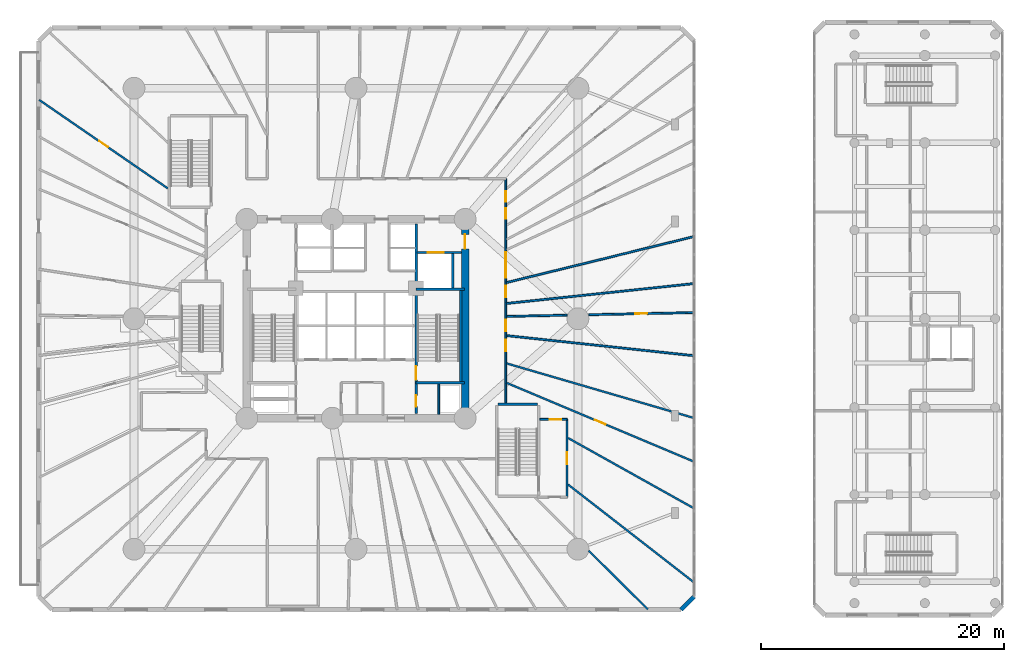
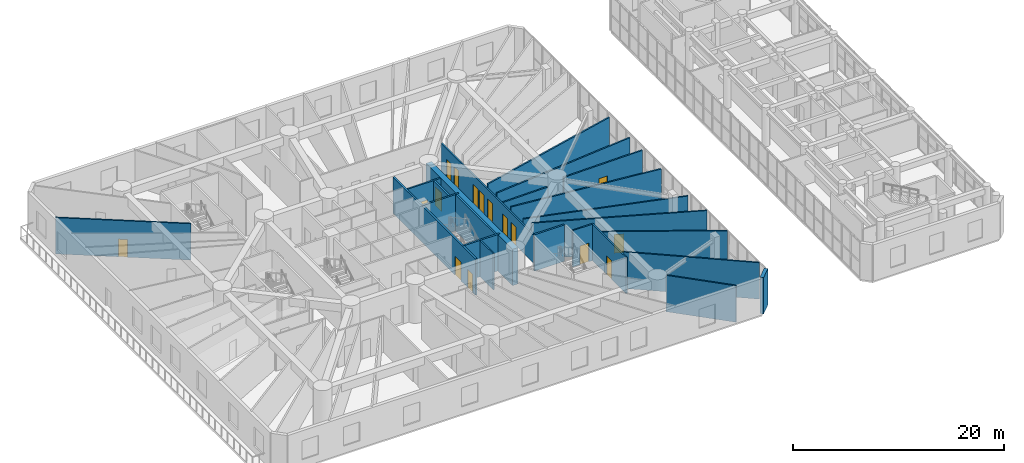
# One storey, part 16 of 26: 24 walls, 16 doors, 16 openings.
"""IFC4 building model written with IfcOpenShell, lengths in metres."""

from ifc_helpers import new_model, si_unit, direction, frame, frame_2d, origin, origin_with_axes, place, context, subcontext, project, spatial, rectangle, extrude, source, transform, mapped, material, layer, layer_set, type_object, element, fill, save


model = new_model("IFC4")

# Units and contexts
model_context = context("Model", 3, precision=1e-05, world=origin(), true_north=direction((0.0, 1.0)))
body_context = subcontext(model_context, "Body", "Model", "MODEL_VIEW")
ifc_project = project(units=[si_unit("LENGTHUNIT", "METRE"), si_unit("AREAUNIT", "SQUARE_METRE"), si_unit("VOLUMEUNIT", "CUBIC_METRE"), si_unit("PLANEANGLEUNIT", "RADIAN"), si_unit("MASSUNIT", "GRAM", prefix="KILO")], contexts=[model_context])

# Site, building, storey
site_placement = place(None, origin())
site = spatial("IfcSite", under=ifc_project, at=site_placement, CompositionType="ELEMENT")
building_placement = place(site_placement, origin())
building = spatial("IfcBuilding", under=site, at=building_placement, Name="Karkom Vertical University and Central Library", CompositionType="ELEMENT")
storey_placement = place(building_placement, frame((0.0, 0.0, 4.5)))
storey = spatial("IfcBuildingStorey", under=building, at=storey_placement, Name="L01", CompositionType="ELEMENT", Elevation=4.5)

# Wall
ifc_material_1 = material(Name="Brick masonry 360mm insulated cavity", Category="masonry")
ifc_layer_1 = layer(ifc_material_1, 0.360107421875)
ifc_layer_set_1 = layer_set([ifc_layer_1], Name="Brick masonry 360mm insulated cavity")
wall_type_1 = type_object("IfcWallType", Name="ENV-WL-BRK-360", PredefinedType="SOLIDWALL", material=ifc_layer_set_1)
wall_1_placement = place(storey_placement, frame((55.300048828125, 2.5, 0.0), z_axis=(0.0, 0.0, 1.0), x_axis=(0.707028305322, 0.707185248342, 0.0)))
element("IfcWall", 1, at=wall_1_placement, inside=storey, type_object=wall_type_1, Name="Level 01 POD Terracotta Brick Facade Wall 02", PredefinedType="SOLIDWALL", context=body_context, shape_type="SweptSolid", body=[
    extrude(rectangle(XDim=1.5556640625, YDim=0.360107421875, at=frame_2d((0.77783203125, 0.0))), origin(), (0.0, 0.0, 1.0), 4.199951171875),
])

# Wall, openings, doors
ifc_material_2 = material(Name="Insulated metal-stud drywall 160mm", Category="gypsum")
ifc_layer_2 = layer(ifc_material_2, 0.159912109375)
ifc_layer_set_2 = layer_set([ifc_layer_2], Name="Insulated metal-stud drywall 160mm")
wall_type_2 = type_object("IfcWallType", Name="INT-WL-COR-160", PredefinedType="PARTITIONING", material=ifc_layer_set_2)
wall_2_placement = place(storey_placement, frame((40.85009765625, 38.050048828125, 0.0), z_axis=(0.0, 0.0, 1.0), x_axis=(0.0, -1.0, 0.0)))
wall_2 = element("IfcWall", 2, at=wall_2_placement, inside=storey, type_object=wall_type_2, Name="Level 01 Interior Partition Wall Level 01-PDCW-CW-009", PredefinedType="PARTITIONING", context=body_context, shape_type="SweptSolid", body=[
    extrude(rectangle(XDim=18.508056640625, YDim=0.159912109375, at=frame_2d((9.25390625, 0.0))), origin(), (0.0, 0.0, 1.0), 3.25),
])
opening_1_placement = place(wall_2_placement, frame((13.280029296875, 0.0, 0.0)))
opening_1 = element("IfcOpeningElement", 3, at=opening_1_placement, cuts=wall_2, Name="Opening FD-RM2", PredefinedType="OPENING", context=body_context, shape_type="SweptSolid", body=[
    extrude(rectangle(XDim=0.9599609375, YDim=2.14990234375, at=frame_2d((0.47998046875, 1.074951171875))), frame((0.0, 0.08984375, 0.0), z_axis=(0.0, -1.0, 0.0), x_axis=(1.0, 0.0, 0.0)), (0.0, 0.0, 1.0), 0.179931640625),
])
opening_2_placement = place(wall_2_placement, frame((11.635986328125, 0.0, 0.0)))
opening_2 = element("IfcOpeningElement", 4, at=opening_2_placement, cuts=wall_2, Name="Opening FD-RM2", PredefinedType="OPENING", context=body_context, shape_type="SweptSolid", body=[
    extrude(rectangle(XDim=0.9599609375, YDim=2.14990234375, at=frame_2d((0.47998046875, 1.074951171875))), frame((0.0, 0.08984375, 0.0), z_axis=(0.0, -1.0, 0.0), x_axis=(1.0, 0.0, 0.0)), (0.0, 0.0, 1.0), 0.179931640625),
])
opening_3_placement = place(wall_2_placement, frame((8.8349609375, 0.0, 0.0)))
opening_3 = element("IfcOpeningElement", 5, at=opening_3_placement, cuts=wall_2, Name="Opening FD-RM2", PredefinedType="OPENING", context=body_context, shape_type="SweptSolid", body=[
    extrude(rectangle(XDim=0.9599609375, YDim=2.14990234375, at=frame_2d((0.47998046875, 1.074951171875))), frame((0.0, 0.08984375, 0.0), z_axis=(0.0, -1.0, 0.0), x_axis=(1.0, 0.0, 0.0)), (0.0, 0.0, 1.0), 0.179931640625),
])
opening_4_placement = place(wall_2_placement, frame((6.083984375, 0.0, 0.0)))
opening_4 = element("IfcOpeningElement", 6, at=opening_4_placement, cuts=wall_2, Name="Opening FD-RM2", PredefinedType="OPENING", context=body_context, shape_type="SweptSolid", body=[
    extrude(rectangle(XDim=0.9599609375, YDim=2.14990234375, at=frame_2d((0.47998046875, 1.074951171875))), frame((0.0, 0.08984375, 0.0), z_axis=(0.0, -1.0, 0.0), x_axis=(1.0, 0.0, 0.0)), (0.0, 0.0, 1.0), 0.179931640625),
])
opening_5_placement = place(wall_2_placement, frame((7.199951171875, 0.0, 0.0)))
opening_5 = element("IfcOpeningElement", 7, at=opening_5_placement, cuts=wall_2, Name="Opening FD-RM2", PredefinedType="OPENING", context=body_context, shape_type="SweptSolid", body=[
    extrude(rectangle(XDim=0.9599609375, YDim=2.14990234375, at=frame_2d((0.47998046875, 1.074951171875))), frame((0.0, 0.08984375, 0.0), z_axis=(0.0, -1.0, 0.0), x_axis=(1.0, 0.0, 0.0)), (0.0, 0.0, 1.0), 0.179931640625),
])
opening_6_placement = place(wall_2_placement, frame((2.445556640625, 0.0, 0.0)))
opening_6 = element("IfcOpeningElement", 8, at=opening_6_placement, cuts=wall_2, Name="Opening FD-BTH2", PredefinedType="OPENING", context=body_context, shape_type="SweptSolid", body=[
    extrude(rectangle(XDim=0.860107421875, YDim=2.0400390625, at=frame_2d((0.43017578125, 1.02001953125))), frame((0.0, 0.08984375, 0.0), z_axis=(0.0, -1.0, 0.0), x_axis=(1.0, 0.0, 0.0)), (0.0, 0.0, 1.0), 0.179931640625),
])
opening_7_placement = place(wall_2_placement, frame((1.037353515625, 0.0, 0.0)))
opening_7 = element("IfcOpeningElement", 9, at=opening_7_placement, cuts=wall_2, Name="Opening FD-BTH2", PredefinedType="OPENING", context=body_context, shape_type="SweptSolid", body=[
    extrude(rectangle(XDim=0.860107421875, YDim=2.0400390625, at=frame_2d((0.43017578125, 1.02001953125))), frame((0.0, 0.08984375, 0.0), z_axis=(0.0, -1.0, 0.0), x_axis=(1.0, 0.0, 0.0)), (0.0, 0.0, 1.0), 0.179931640625),
])
ifc_material_3 = material(Name="Fire-rated oak veneer door", Category="wood")
door_type_1 = type_object("IfcDoorType", Name="INT-DR-FRM2", OperationType="NOTDEFINED", PredefinedType="DOOR", material=ifc_material_3)
shared_shape_1 = source(origin_with_axes(), body_context, "Body", "SweptSolid", [
    extrude(rectangle(XDim=0.9599609375, YDim=2.14990234375, at=frame_2d((0.47998046875, 1.074951171875))), frame((0.0, 0.02490234375, 0.0), z_axis=(0.0, -1.0, 0.0), x_axis=(1.0, 0.0, 0.0)), (0.0, 0.0, 1.0), 0.050048828125),
])
door_1_placement = place(opening_1_placement, origin())
door_1 = element("IfcDoor", 10, at=door_1_placement, inside=storey, type_object=door_type_1, Name="Level 01 Room Entry Door 820", OperationType="SINGLE_SWING_LEFT", OverallHeight=2.14990234375, OverallWidth=0.9599609375, PredefinedType="DOOR", context=body_context, shape_type="MappedRepresentation", body=[
    mapped(shared_shape_1, transform((0.0, 0.0, 0.0), scale=1.0)),
])
fill(opening_1, door_1)
door_2_placement = place(opening_2_placement, origin())
door_2 = element("IfcDoor", 11, at=door_2_placement, inside=storey, type_object=door_type_1, Name="Level 01 Room Entry Door 821", OperationType="SINGLE_SWING_RIGHT", OverallHeight=2.14990234375, OverallWidth=0.9599609375, PredefinedType="DOOR", context=body_context, shape_type="MappedRepresentation", body=[
    mapped(shared_shape_1, transform((0.0, 0.0, 0.0), scale=1.0)),
])
fill(opening_2, door_2)
door_3_placement = place(opening_3_placement, origin())
door_3 = element("IfcDoor", 12, at=door_3_placement, inside=storey, type_object=door_type_1, Name="Level 01 Room Entry Door 823", OperationType="SINGLE_SWING_RIGHT", OverallHeight=2.14990234375, OverallWidth=0.9599609375, PredefinedType="DOOR", context=body_context, shape_type="MappedRepresentation", body=[
    mapped(shared_shape_1, transform((0.0, 0.0, 0.0), scale=1.0)),
])
fill(opening_3, door_3)
door_4_placement = place(opening_4_placement, origin())
door_4 = element("IfcDoor", 13, at=door_4_placement, inside=storey, type_object=door_type_1, Name="Level 01 Room Entry Door 824", OperationType="SINGLE_SWING_LEFT", OverallHeight=2.14990234375, OverallWidth=0.9599609375, PredefinedType="DOOR", context=body_context, shape_type="MappedRepresentation", body=[
    mapped(shared_shape_1, transform((0.0, 0.0, 0.0), scale=1.0)),
])
fill(opening_4, door_4)
door_5_placement = place(opening_5_placement, origin())
door_5 = element("IfcDoor", 14, at=door_5_placement, inside=storey, type_object=door_type_1, Name="Level 01 Room Entry Door 826", OperationType="SINGLE_SWING_LEFT", OverallHeight=2.14990234375, OverallWidth=0.9599609375, PredefinedType="DOOR", context=body_context, shape_type="MappedRepresentation", body=[
    mapped(shared_shape_1, transform((0.0, 0.0, 0.0), scale=1.0)),
])
fill(opening_5, door_5)
ifc_material_4 = material(Name="Fire-rated moisture-resistant oak door", Category="wood")
door_type_2 = type_object("IfcDoorType", Name="INT-DR-FBTH2", OperationType="NOTDEFINED", PredefinedType="DOOR", material=ifc_material_4)
shared_shape_2 = source(origin_with_axes(), body_context, "Body", "SweptSolid", [
    extrude(rectangle(XDim=0.860107421875, YDim=2.0400390625, at=frame_2d((0.43017578125, 1.02001953125))), frame((0.0, 0.02490234375, 0.0), z_axis=(0.0, -1.0, 0.0), x_axis=(1.0, 0.0, 0.0)), (0.0, 0.0, 1.0), 0.050048828125),
])
door_6_placement = place(opening_6_placement, origin())
door_6 = element("IfcDoor", 15, at=door_6_placement, inside=storey, type_object=door_type_2, Name="Level 01 Academic Advising Office Entry Door", OperationType="SINGLE_SWING_RIGHT", OverallHeight=2.0400390625, OverallWidth=0.860107421875, PredefinedType="DOOR", context=body_context, shape_type="MappedRepresentation", body=[
    mapped(shared_shape_2, transform((0.0, 0.0, 0.0), scale=1.0)),
])
fill(opening_6, door_6)
door_7_placement = place(opening_7_placement, origin())
door_7 = element("IfcDoor", 16, at=door_7_placement, inside=storey, type_object=door_type_2, Name="Level 01 Faculty Meeting Room Entry Door", OperationType="SINGLE_SWING_LEFT", OverallHeight=2.0400390625, OverallWidth=0.860107421875, PredefinedType="DOOR", context=body_context, shape_type="MappedRepresentation", body=[
    mapped(shared_shape_2, transform((0.0, 0.0, 0.0), scale=1.0)),
])
fill(opening_7, door_7)

# Wall, opening, door
wall_3_placement = place(storey_placement, frame((40.918212890625, 21.2138671875, 0.0), z_axis=(0.0, 0.0, 1.0), x_axis=(0.921837584327, -0.387576402947, 0.0)))
wall_3 = element("IfcWall", 17, at=wall_3_placement, inside=storey, type_object=wall_type_2, Name="Level 01 Interior Partition Wall Level 01-PODW-19-20-1", PredefinedType="PARTITIONING", context=body_context, shape_type="SweptSolid", body=[
    extrude(rectangle(XDim=16.761962890625, YDim=0.159912109375, at=frame_2d((8.380859375, 0.0))), origin(), (0.0, 0.0, 1.0), 4.199951171875),
])
opening_8_placement = place(wall_3_placement, frame((7.881103515625, 0.0, 0.0)))
opening_8 = element("IfcOpeningElement", 18, at=opening_8_placement, cuts=wall_3, Name="Opening FD-RM2", PredefinedType="OPENING", context=body_context, shape_type="SweptSolid", body=[
    extrude(rectangle(XDim=0.9599609375, YDim=2.14990234375, at=frame_2d((0.47998046875, 1.074951171875))), frame((0.0, 0.08984375, 0.0), z_axis=(0.0, -1.0, 0.0), x_axis=(1.0, 0.0, 0.0)), (0.0, 0.0, 1.0), 0.179931640625),
])
door_8_placement = place(opening_8_placement, origin())
door_8 = element("IfcDoor", 19, at=door_8_placement, inside=storey, type_object=door_type_1, Name="Level 01 Room Entry Door 819", OperationType="SINGLE_SWING_RIGHT", OverallHeight=2.14990234375, OverallWidth=0.9599609375, PredefinedType="DOOR", context=body_context, shape_type="MappedRepresentation", body=[
    mapped(shared_shape_1, transform((0.0, 0.0, 0.0), scale=1.0)),
])
fill(opening_8, door_8)

# Walls
wall_4_placement = place(storey_placement, frame((40.931884765625, 22.814697265625, 0.0), z_axis=(0.0, 0.0, 1.0), x_axis=(0.960065941078, -0.279773817185, 0.0)))
element("IfcWall", 20, at=wall_4_placement, inside=storey, type_object=wall_type_2, Name="Level 01 Interior Partition Wall Level 01-PODW-20-21-1", PredefinedType="PARTITIONING", context=body_context, shape_type="SweptSolid", body=[
    extrude(rectangle(XDim=16.082763671875, YDim=0.159912109375, at=frame_2d((8.04150390625, 0.0))), origin(), (0.0, 0.0, 1.0), 3.699951171875),
])
wall_5_placement = place(storey_placement, frame((40.91748046875, 29.483642578125, 0.0), z_axis=(0.0, 0.0, 1.0), x_axis=(0.97121044227, 0.238223166012, 0.0)))
element("IfcWall", 21, at=wall_5_placement, inside=storey, type_object=wall_type_2, Name="Level 01 Interior Partition Wall Level 01-PODW-24-25-1", PredefinedType="PARTITIONING", context=body_context, shape_type="SweptSolid", body=[
    extrude(rectangle(XDim=15.913818359375, YDim=0.159912109375, at=frame_2d((7.95703125, 0.0))), origin(), (0.0, 0.0, 1.0), 3.699951171875),
])
wall_6_placement = place(storey_placement, frame((40.931884765625, 25.106689453125, 0.0), z_axis=(0.0, 0.0, 1.0), x_axis=(0.994299337465, -0.106624704062, 0.0)))
element("IfcWall", 22, at=wall_6_placement, inside=storey, type_object=wall_type_2, Name="Level 01 Interior Partition Wall Level 01-PODW-21-22-1", PredefinedType="PARTITIONING", context=body_context, shape_type="SweptSolid", body=[
    extrude(rectangle(XDim=15.53125, YDim=0.159912109375, at=frame_2d((7.765625, 0.0))), origin(), (0.0, 0.0, 1.0), 3.699951171875),
])
wall_7_placement = place(storey_placement, frame((40.9169921875, 27.7578125, 0.0), z_axis=(0.0, 0.0, 1.0), x_axis=(0.994413071603, 0.10555871838, 0.0)))
element("IfcWall", 23, at=wall_7_placement, inside=storey, type_object=wall_type_2, Name="Level 01 Interior Partition Wall Level 01-PODW-23-24-1", PredefinedType="PARTITIONING", context=body_context, shape_type="SweptSolid", body=[
    extrude(rectangle(XDim=15.544677734375, YDim=0.159912109375, at=frame_2d((7.7724609375, 0.0))), origin(), (0.0, 0.0, 1.0), 3.699951171875),
])
wall_8_placement = place(storey_placement, frame((45.98193359375, 12.835693359375, 0.0), z_axis=(0.0, 0.0, 1.0), x_axis=(0.789554176815, -0.613680863214, 0.0)))
element("IfcWall", 24, at=wall_8_placement, inside=storey, type_object=wall_type_2, Name="Level 01 Interior Partition Wall Level 01-PODW-17-18-1", PredefinedType="PARTITIONING", context=body_context, shape_type="SweptSolid", body=[
    extrude(rectangle(XDim=13.14599609375, YDim=0.159912109375, at=frame_2d((6.572998046875, 0.0))), origin(), (0.0, 0.0, 1.0), 4.199951171875),
])

# Wall, opening, door
wall_9_placement = place(storey_placement, frame((12.992919921875, 37.2421875, 0.0), z_axis=(0.0, 0.0, 1.0), x_axis=(-0.823836041433, 0.566828172232, 0.0)))
wall_9 = element("IfcWall", 25, at=wall_9_placement, inside=storey, type_object=wall_type_2, Name="Level 01 Interior Partition Wall Level 01-PODW-40-41-1", PredefinedType="PARTITIONING", context=body_context, shape_type="SweptSolid", body=[
    extrude(rectangle(XDim=12.87451171875, YDim=0.159912109375, at=frame_2d((6.437255859375, 0.0))), origin(), (0.0, 0.0, 1.0), 4.199951171875),
])
opening_9_placement = place(wall_9_placement, frame((6.00732421875, 0.0, 0.0)))
opening_9 = element("IfcOpeningElement", 26, at=opening_9_placement, cuts=wall_9, Name="Opening FD-BTH2", PredefinedType="OPENING", context=body_context, shape_type="SweptSolid", body=[
    extrude(rectangle(XDim=0.860107421875, YDim=2.0400390625, at=frame_2d((0.43017578125, 1.02001953125))), frame((0.0, 0.08984375, 0.0), z_axis=(0.0, -1.0, 0.0), x_axis=(1.0, 0.0, 0.0)), (0.0, 0.0, 1.0), 0.179931640625),
])
door_9_placement = place(opening_9_placement, origin())
door_9 = element("IfcDoor", 27, at=door_9_placement, inside=storey, type_object=door_type_2, Name="Level 01 Student Study Lounge Entry Door", OperationType="SINGLE_SWING_RIGHT", OverallHeight=2.0400390625, OverallWidth=0.860107421875, PredefinedType="DOOR", context=body_context, shape_type="MappedRepresentation", body=[
    mapped(shared_shape_2, transform((0.0, 0.0, 0.0), scale=1.0)),
])
fill(opening_9, door_9)

# Wall
wall_10_placement = place(storey_placement, frame((45.98193359375, 16.668701171875, 0.0), z_axis=(0.0, 0.0, 1.0), x_axis=(0.873084325339, -0.487569236978, 0.0)))
element("IfcWall", 28, at=wall_10_placement, inside=storey, type_object=wall_type_2, Name="Level 01 Interior Partition Wall Level 01-PODW-18-19-1", PredefinedType="PARTITIONING", context=body_context, shape_type="SweptSolid", body=[
    extrude(rectangle(XDim=11.894287109375, YDim=0.159912109375, at=frame_2d((5.947265625, 0.0))), origin(), (0.0, 0.0, 1.0), 4.199951171875),
])

# Wall, opening, door
wall_11_placement = place(storey_placement, frame((47.68994140625, 26.82958984375, 0.0), z_axis=(0.0, 0.0, 1.0), x_axis=(0.999793534886, 0.02031963585, 0.0)))
wall_11 = element("IfcWall", 29, at=wall_11_placement, inside=storey, type_object=wall_type_2, Name="Level 01 Interior Partition Wall Level 01-PODW-22-23-2", PredefinedType="PARTITIONING", context=body_context, shape_type="SweptSolid", body=[
    extrude(rectangle(XDim=8.686767578125, YDim=0.159912109375, at=frame_2d((4.34326171875, 0.0))), origin(), (0.0, 0.0, 1.0), 3.699951171875),
])
opening_10_placement = place(wall_11_placement, frame((3.850830078125, 0.0, 0.0)))
opening_10 = element("IfcOpeningElement", 30, at=opening_10_placement, cuts=wall_11, Name="Opening FD-RM2", PredefinedType="OPENING", context=body_context, shape_type="SweptSolid", body=[
    extrude(rectangle(XDim=0.9599609375, YDim=2.14990234375, at=frame_2d((0.47998046875, 1.074951171875))), frame((0.0, 0.08984375, 0.0), z_axis=(0.0, -1.0, 0.0), x_axis=(1.0, 0.0, 0.0)), (0.0, 0.0, 1.0), 0.179931640625),
])
door_10_placement = place(opening_10_placement, origin())
door_10 = element("IfcDoor", 31, at=door_10_placement, inside=storey, type_object=door_type_1, Name="Level 01 Room Entry Door 822", OperationType="SINGLE_SWING_LEFT", OverallHeight=2.14990234375, OverallWidth=0.9599609375, PredefinedType="DOOR", context=body_context, shape_type="MappedRepresentation", body=[
    mapped(shared_shape_1, transform((0.0, 0.0, 0.0), scale=1.0)),
])
fill(opening_10, door_10)

# Wall
wall_12_placement = place(storey_placement, frame((47.68994140625, 7.3740234375, 0.0), z_axis=(0.0, 0.0, 1.0), x_axis=(0.709842997922, -0.70435993519, 0.0)))
element("IfcWall", 32, at=wall_12_placement, inside=storey, type_object=wall_type_2, Name="Level 01 Interior Partition Wall Level 01-PODW-16-17-2", PredefinedType="PARTITIONING", context=body_context, shape_type="SweptSolid", body=[
    extrude(rectangle(XDim=6.85693359375, YDim=0.159912109375, at=frame_2d((3.428466796875, 0.0))), origin(), (0.0, 0.0, 1.0), 4.199951171875),
])

# Wall, opening, door
wall_13_placement = place(storey_placement, frame((45.89990234375, 18.199951171875, 0.0), z_axis=(0.0, 0.0, 1.0), x_axis=(0.0, -1.0, 0.0)))
wall_13 = element("IfcWall", 33, at=wall_13_placement, inside=storey, type_object=wall_type_2, Name="Level 01 Interior Partition Wall Level 01-PDCW-CW-022", PredefinedType="PARTITIONING", context=body_context, shape_type="SweptSolid", body=[
    extrude(rectangle(XDim=6.39990234375, YDim=0.159912109375, at=frame_2d((3.199951171875, 0.0))), origin(), (0.0, 0.0, 1.0), 4.199951171875),
])
opening_11_placement = place(wall_13_placement, frame((2.72509765625, 0.0, 0.0)))
opening_11 = element("IfcOpeningElement", 34, at=opening_11_placement, cuts=wall_13, Name="Opening FD-RM2", PredefinedType="OPENING", context=body_context, shape_type="SweptSolid", body=[
    extrude(rectangle(XDim=0.9599609375, YDim=2.14990234375, at=frame_2d((0.47998046875, 1.074951171875))), frame((0.0, 0.08984375, 0.0), z_axis=(0.0, -1.0, 0.0), x_axis=(1.0, 0.0, 0.0)), (0.0, 0.0, 1.0), 0.179931640625),
])
door_11_placement = place(opening_11_placement, origin())
door_11 = element("IfcDoor", 35, at=door_11_placement, inside=storey, type_object=door_type_1, Name="Level 01 Room Entry Door 817", OperationType="SINGLE_SWING_RIGHT", OverallHeight=2.14990234375, OverallWidth=0.9599609375, PredefinedType="DOOR", context=body_context, shape_type="MappedRepresentation", body=[
    mapped(shared_shape_1, transform((0.0, 0.0, 0.0), scale=1.0)),
])
fill(opening_11, door_11)

# Wall
wall_14_placement = place(storey_placement, frame((40.931884765625, 26.6923828125, 0.0), z_axis=(0.0, 0.0, 1.0), x_axis=(0.999793936069, 0.020299886686, 0.0)))
element("IfcWall", 36, at=wall_14_placement, inside=storey, type_object=wall_type_2, Name="Level 01 Interior Partition Wall Level 01-PODW-22-23-1", PredefinedType="PARTITIONING", context=body_context, shape_type="SweptSolid", body=[
    extrude(rectangle(XDim=4.97900390625, YDim=0.159912109375, at=frame_2d((2.489501953125, 0.0))), origin(), (0.0, 0.0, 1.0), 3.25),
])

# Wall, opening, door
wall_15_placement = place(storey_placement, frame((43.672119140625, 18.199951171875, 0.0), z_axis=(0.0, 0.0, 1.0), x_axis=(1.0, 0.0, 0.0)))
wall_15 = element("IfcWall", 37, at=wall_15_placement, inside=storey, type_object=wall_type_2, Name="Level 01 Interior Partition Wall Level 01-PDCW-CW-021", PredefinedType="PARTITIONING", context=body_context, shape_type="SweptSolid", body=[
    extrude(rectangle(XDim=2.227783203125, YDim=0.159912109375, at=frame_2d((1.11376953125, 0.0))), origin(), (0.0, 0.0, 1.0), 4.199951171875),
])
opening_12_placement = place(wall_15_placement, frame((0.794921875, 0.0, 0.0)))
opening_12 = element("IfcOpeningElement", 38, at=opening_12_placement, cuts=wall_15, Name="Opening FD-RM2", PredefinedType="OPENING", context=body_context, shape_type="SweptSolid", body=[
    extrude(rectangle(XDim=0.9599609375, YDim=2.14990234375, at=frame_2d((0.47998046875, 1.074951171875))), frame((0.0, 0.08984375, 0.0), z_axis=(0.0, -1.0, 0.0), x_axis=(1.0, 0.0, 0.0)), (0.0, 0.0, 1.0), 0.179931640625),
])
door_12_placement = place(opening_12_placement, origin())
door_12 = element("IfcDoor", 39, at=door_12_placement, inside=storey, type_object=door_type_1, Name="Level 01 Room Entry Door 818", OperationType="SINGLE_SWING_LEFT", OverallHeight=2.14990234375, OverallWidth=0.9599609375, PredefinedType="DOOR", context=body_context, shape_type="MappedRepresentation", body=[
    mapped(shared_shape_1, transform((0.0, 0.0, 0.0), scale=1.0)),
])
fill(opening_12, door_12)

# Wall
ifc_material_5 = material(Name="Metal-stud gypsum partition 140mm", Category="gypsum")
ifc_layer_3 = layer(ifc_material_5, 0.139892578125)
ifc_layer_set_3 = layer_set([ifc_layer_3], Name="Metal-stud gypsum partition 140mm")
wall_type_3 = type_object("IfcWallType", Name="INT-WL-SUB-140H", PredefinedType="PARTITIONING", material=ifc_layer_set_3)
wall_16_placement = place(storey_placement, frame((35.320068359375, 18.60693359375, 0.0), z_axis=(0.0, 0.0, 1.0), x_axis=(0.0, 1.0, 0.0)))
element("IfcWall", 40, at=wall_16_placement, inside=storey, type_object=wall_type_3, Name="Level 01 Interior Partition Wall Level 01-CW-RIS-E", PredefinedType="PARTITIONING", context=body_context, shape_type="SweptSolid", body=[
    extrude(rectangle(XDim=2.502685546875, YDim=0.139892578125, at=frame_2d((1.25146484375, 0.0))), origin(), (0.0, 0.0, 1.0), 4.199951171875),
])

# Wall, opening, door
ifc_material_6 = material(Name="Twin-stud acoustic drywall 180mm", Category="gypsum")
ifc_layer_4 = layer(ifc_material_6, 0.179931640625)
ifc_layer_set_4 = layer_set([ifc_layer_4], Name="Twin-stud acoustic drywall 180mm")
wall_type_4 = type_object("IfcWallType", Name="INT-WL-TEN-180F", PredefinedType="PARTITIONING", material=ifc_layer_set_4)
wall_17_placement = place(storey_placement, frame((33.534912109375, 31.949951171875, 0.0), z_axis=(0.0, 0.0, 1.0), x_axis=(1.0, 0.0, 0.0)))
wall_17 = element("IfcWall", 41, at=wall_17_placement, inside=storey, type_object=wall_type_4, Name="Level 01 Interior Partition Wall Level 01-CW-SVL-N", PredefinedType="PARTITIONING", context=body_context, shape_type="SweptSolid", body=[
    extrude(rectangle(XDim=3.658447265625, YDim=0.179931640625, at=frame_2d((1.8291015625, 0.0))), origin(), (0.0, 0.0, 1.0), 4.199951171875),
])
opening_13_placement = place(wall_17_placement, frame((0.89990234375, 0.0, 0.0)))
opening_13 = element("IfcOpeningElement", 42, at=opening_13_placement, cuts=wall_17, Name="Opening LD-SV1", PredefinedType="OPENING", context=body_context, shape_type="SweptSolid", body=[
    extrude(rectangle(XDim=1.300048828125, YDim=2.199951171875, at=frame_2d((0.64990234375, 1.10009765625))), frame((0.0, 0.10009765625, 0.0), z_axis=(0.0, -1.0, 0.0), x_axis=(1.0, 0.0, 0.0)), (0.0, 0.0, 1.0), 0.199951171875),
])
ifc_material_7 = material(Name="Brushed stainless-steel landing door", Category="steel")
door_type_3 = type_object("IfcDoorType", Name="INT-DR-LD-SV1", OperationType="SLIDING_TO_LEFT", PredefinedType="DOOR", material=ifc_material_7)
shared_shape_3 = source(origin_with_axes(), body_context, "Body", "SweptSolid", [
    extrude(rectangle(XDim=1.300048828125, YDim=2.199951171875, at=frame_2d((0.64990234375, 1.10009765625))), frame((0.0, 0.02490234375, 0.0), z_axis=(0.0, -1.0, 0.0), x_axis=(1.0, 0.0, 0.0)), (0.0, 0.0, 1.0), 0.050048828125),
])
door_13_placement = place(opening_13_placement, origin())
door_13 = element("IfcDoor", 43, at=door_13_placement, inside=storey, type_object=door_type_3, Name="Level 01 Service Lift Landing Door LD-SV1", OperationType="SLIDING_TO_LEFT", OverallHeight=2.199951171875, OverallWidth=1.300048828125, PredefinedType="DOOR", context=body_context, shape_type="MappedRepresentation", body=[
    mapped(shared_shape_3, transform((0.0, 0.0, 0.0), scale=1.0)),
])
fill(opening_13, door_13)

ifc_material_8 = material(Name="Concrete C50/60", Category="concrete")
ifc_layer_5 = layer(ifc_material_8, 0.60009765625)
ifc_layer_set_5 = layer_set([ifc_layer_5], Name="Concrete C50/60")
wall_type_5 = type_object("IfcWallType", Name="STR-WL-CW-600", PredefinedType="SHEAR", material=ifc_layer_set_5)
wall_18_placement = place(storey_placement, frame((37.5, 18.300048828125, 0.0), z_axis=(0.0, 0.0, 1.0), x_axis=(0.0, 1.0, 0.0)))
wall_18 = element("IfcWall", 44, at=wall_18_placement, inside=storey, type_object=wall_type_5, Name="Level 01 Central Core Shear Wall EW", PredefinedType="SHEAR", context=body_context, shape_type="SweptSolid", body=[
    extrude(rectangle(XDim=16.39990234375, YDim=0.60009765625, at=frame_2d((8.199951171875, 0.0))), origin(), (0.0, 0.0, 1.0), 4.199951171875),
])
opening_14_placement = place(wall_18_placement, frame((13.9599609375, 0.0, 0.0)))
opening_14 = element("IfcOpeningElement", 45, at=opening_14_placement, cuts=wall_18, Name="Opening FD-SUB1", PredefinedType="OPENING", context=body_context, shape_type="SweptSolid", body=[
    extrude(rectangle(XDim=1.199951171875, YDim=2.14990234375, at=frame_2d((0.60009765625, 1.074951171875))), frame((0.0, 0.31005859375, 0.0), z_axis=(0.0, -1.0, 0.0), x_axis=(1.0, 0.0, 0.0)), (0.0, 0.0, 1.0), 0.6201171875),
])
ifc_material_9 = material(Name="Painted steel fire door", Category="steel")
door_type_4 = type_object("IfcDoorType", Name="INT-DR-SUB1", OperationType="NOTDEFINED", PredefinedType="DOOR", material=ifc_material_9)
shared_shape_4 = source(origin_with_axes(), body_context, "Body", "SweptSolid", [
    extrude(rectangle(XDim=1.199951171875, YDim=2.14990234375, at=frame_2d((0.60009765625, 1.074951171875))), frame((0.0, 0.02490234375, 0.0), z_axis=(0.0, -1.0, 0.0), x_axis=(1.0, 0.0, 0.0)), (0.0, 0.0, 1.0), 0.050048828125),
])
door_14_placement = place(opening_14_placement, origin())
door_14 = element("IfcDoor", 46, at=door_14_placement, inside=storey, type_object=door_type_4, Name="Level 01 East Corridor Service Lobby Door", OperationType="SINGLE_SWING_RIGHT", OverallHeight=2.14990234375, OverallWidth=1.199951171875, PredefinedType="DOOR", context=body_context, shape_type="MappedRepresentation", body=[
    mapped(shared_shape_4, transform((0.0, 0.0, 0.0), scale=1.0)),
])
fill(opening_14, door_14)

# Wall, openings, doors
ifc_material_10 = material(Name="Concrete C45/55", Category="concrete")
ifc_layer_6 = layer(ifc_material_10, 0.199951171875)
ifc_layer_set_6 = layer_set([ifc_layer_6], Name="Concrete C45/55")
wall_type_6 = type_object("IfcWallType", Name="STR-WL-ST-200", PredefinedType="SHEAR", material=ifc_layer_set_6)
wall_19_placement = place(storey_placement, frame((33.455078125, 18.699951171875, 0.0), z_axis=(0.0, 0.0, 1.0), x_axis=(0.0, 1.0, 0.0)))
wall_19 = element("IfcWall", 47, at=wall_19_placement, inside=storey, type_object=wall_type_6, Name="Level 01 Core Shaft Wall Level 01-CW-ST2-W", PredefinedType="SHEAR", context=body_context, shape_type="SweptSolid", body=[
    extrude(rectangle(XDim=15.60009765625, YDim=0.199951171875, at=frame_2d((7.800048828125, 0.0))), origin(), (0.0, 0.0, 1.0), 4.199951171875),
])
opening_15_placement = place(wall_19_placement, frame((2.75, 0.0, 0.0)))
opening_15 = element("IfcOpeningElement", 48, at=opening_15_placement, cuts=wall_19, Name="Opening FD-ST1", PredefinedType="OPENING", context=body_context, shape_type="SweptSolid", body=[
    extrude(rectangle(XDim=1.14990234375, YDim=2.14990234375, at=frame_2d((0.574951171875, 1.074951171875))), frame((0.0, 0.10986328125, 0.0), z_axis=(0.0, -1.0, 0.0), x_axis=(1.0, 0.0, 0.0)), (0.0, 0.0, 1.0), 0.219970703125),
])
opening_16_placement = place(wall_19_placement, frame((0.550048828125, 0.0, 0.0)))
opening_16 = element("IfcOpeningElement", 49, at=opening_16_placement, cuts=wall_19, Name="Opening D-WC1", PredefinedType="OPENING", context=body_context, shape_type="SweptSolid", body=[
    extrude(rectangle(XDim=0.93994140625, YDim=2.10009765625, at=frame_2d((0.469970703125, 1.050048828125))), frame((0.0, 0.10986328125, 0.0), z_axis=(0.0, -1.0, 0.0), x_axis=(1.0, 0.0, 0.0)), (0.0, 0.0, 1.0), 0.219970703125),
])
ifc_material_11 = material(Name="Painted steel acoustic fire door", Category="steel")
door_type_5 = type_object("IfcDoorType", Name="INT-DR-ST1", OperationType="NOTDEFINED", PredefinedType="DOOR", material=ifc_material_11)
shared_shape_5 = source(origin_with_axes(), body_context, "Body", "SweptSolid", [
    extrude(rectangle(XDim=1.14990234375, YDim=2.14990234375, at=frame_2d((0.574951171875, 1.074951171875))), frame((0.0, 0.02490234375, 0.0), z_axis=(0.0, -1.0, 0.0), x_axis=(1.0, 0.0, 0.0)), (0.0, 0.0, 1.0), 0.050048828125),
])
door_15_placement = place(opening_15_placement, origin())
door_15 = element("IfcDoor", 50, at=door_15_placement, inside=storey, type_object=door_type_5, Name="Level 01 Stair ST-2 Fire Door", OperationType="SINGLE_SWING_LEFT", OverallHeight=2.14990234375, OverallWidth=1.14990234375, PredefinedType="DOOR", context=body_context, shape_type="MappedRepresentation", body=[
    mapped(shared_shape_5, transform((0.0, 0.0, 0.0), scale=1.0)),
])
fill(opening_15, door_15)
ifc_material_12 = material(Name="Fire-rated laminate moisture-resistant door", Category="wood")
door_type_6 = type_object("IfcDoorType", Name="INT-DR-WC1", OperationType="NOTDEFINED", PredefinedType="DOOR", material=ifc_material_12)
shared_shape_6 = source(origin_with_axes(), body_context, "Body", "SweptSolid", [
    extrude(rectangle(XDim=0.93994140625, YDim=2.10009765625, at=frame_2d((0.469970703125, 1.050048828125))), frame((0.0, 0.02490234375, 0.0), z_axis=(0.0, -1.0, 0.0), x_axis=(1.0, 0.0, 0.0)), (0.0, 0.0, 1.0), 0.050048828125),
])
door_16_placement = place(opening_16_placement, origin())
door_16 = element("IfcDoor", 51, at=door_16_placement, inside=storey, type_object=door_type_6, Name="Level 01 Accessible WC Door", OperationType="SINGLE_SWING_RIGHT", OverallHeight=2.10009765625, OverallWidth=0.93994140625, PredefinedType="DOOR", context=body_context, shape_type="MappedRepresentation", body=[
    mapped(shared_shape_6, transform((0.0, 0.0, 0.0), scale=1.0)),
])
fill(opening_16, door_16)

# Walls
wall_20_placement = place(storey_placement, frame((37.125, 21.320068359375, 0.0), z_axis=(0.0, 0.0, 1.0), x_axis=(0.0, 1.0, 0.0)))
element("IfcWall", 52, at=wall_20_placement, inside=storey, type_object=wall_type_6, Name="Level 01 Core Shaft Wall Level 01-CW-ST2-E", PredefinedType="SHEAR", context=body_context, shape_type="SweptSolid", body=[
    extrude(rectangle(XDim=7.5, YDim=0.199951171875, at=frame_2d((3.75, 0.0))), origin(), (0.0, 0.0, 1.0), 4.199951171875),
])
for number, where, z_axis, x_axis, name in (
    (53, (33.455078125, 21.215087890625, 0.0), (0.0, 0.0, 1.0), (1.0, 0.0, 0.0), "Level 01 Core Shaft Wall Level 01-CW-ST2-S"),
    (54, (33.455078125, 28.925048828125, 0.0), (0.0, 0.0, 1.0), (1.0, 0.0, 0.0), "Level 01 Core Shaft Wall Level 01-CW-ST2-N"),
):
    element("IfcWall", number, at=place(storey_placement, frame(where, z_axis=z_axis, x_axis=x_axis)), inside=storey, type_object=wall_type_6, Name=name, PredefinedType="SHEAR", context=body_context, shape_type="SweptSolid", body=[
        extrude(rectangle(XDim=3.994873046875, YDim=0.199951171875, at=frame_2d((1.99755859375, 0.0))), origin(), (0.0, 0.0, 1.0), 4.199951171875),
    ])
wall_21_placement = place(storey_placement, frame((40.199951171875, 19.43505859375, 0.0), z_axis=(0.0, 0.0, 1.0), x_axis=(1.0, 0.0, 0.0)))
element("IfcWall", 55, at=wall_21_placement, inside=storey, type_object=wall_type_6, Name="Level 01 Core Shaft Wall Level 01-W-POD1-N", PredefinedType="SHEAR", context=body_context, shape_type="SweptSolid", body=[
    extrude(rectangle(XDim=3.260009765625, YDim=0.199951171875, at=frame_2d((1.6298828125, 0.0))), origin(), (0.0, 0.0, 1.0), 4.199951171875),
])
wall_22_placement = place(storey_placement, frame((36.47998046875, 29.02001953125, 0.0), z_axis=(0.0, 0.0, 1.0), x_axis=(0.0, 1.0, 0.0)))
element("IfcWall", 56, at=wall_22_placement, inside=storey, type_object=wall_type_6, Name="Level 01 Core Shaft Wall Level 01-CW-SVL-E", PredefinedType="SHEAR", context=body_context, shape_type="SweptSolid", body=[
    extrude(rectangle(XDim=2.85986328125, YDim=0.199951171875, at=frame_2d((1.429931640625, 0.0))), origin(), (0.0, 0.0, 1.0), 4.199951171875),
])

save(model, "model.ifc")
